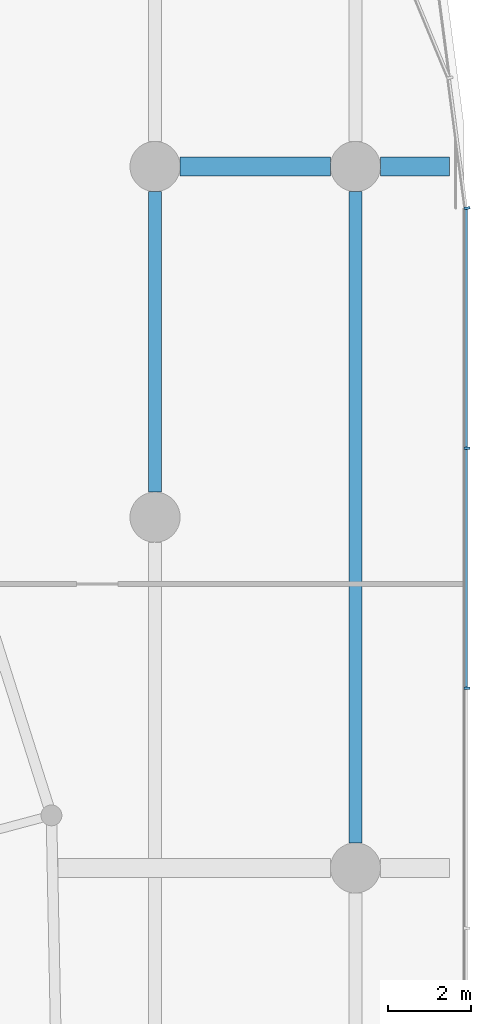
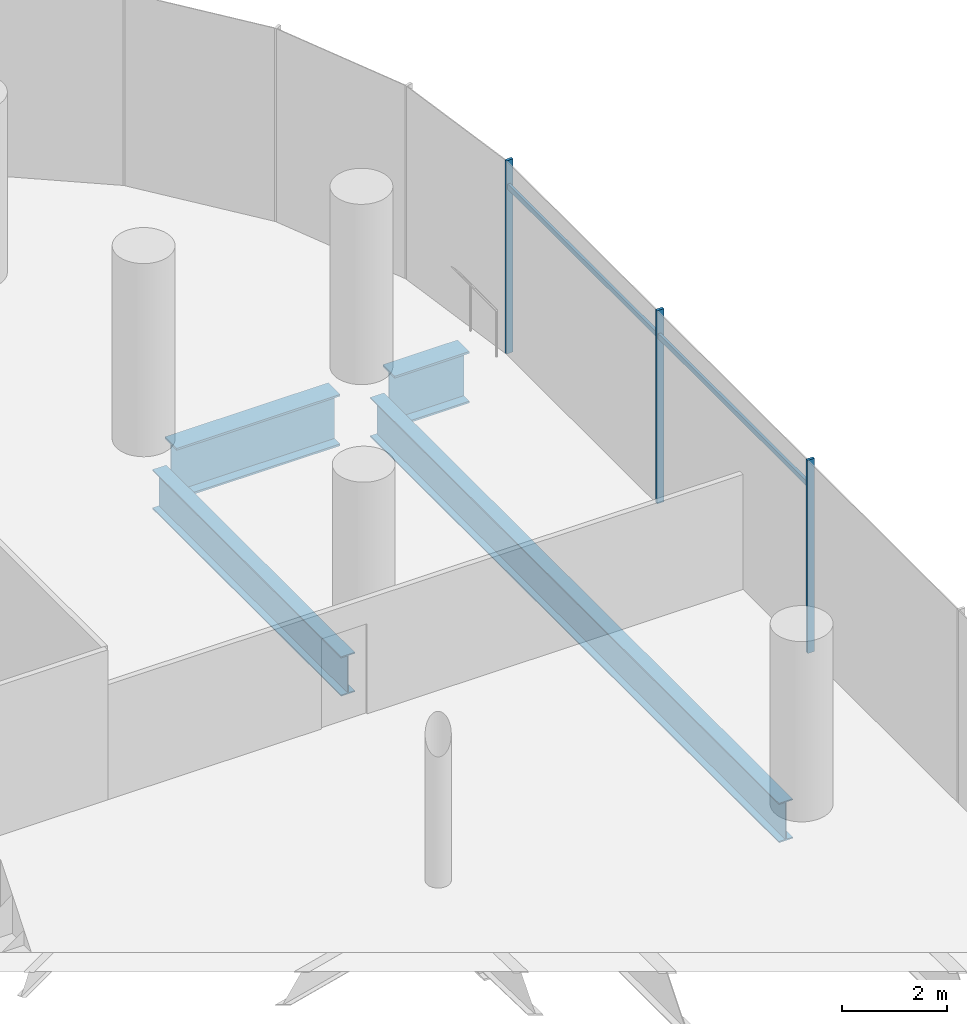
# One storey, part 18 of 43: 5 members, 4 beams, 1 element without a shape of its own.
"""IFC4 building model written with IfcOpenShell, lengths in metres."""

from ifc_helpers import new_model, si_unit, direction, frame, origin, origin_2d, place, context, subcontext, project, spatial, rectangle, i_section, extrude, material, material_profile, profile_set, type_object, element, aggregate, save


model = new_model("IFC4")

# Units and contexts
model_context = context("Model", 3, precision=1e-05, world=origin(), true_north=direction((0.0, 1.0)))
body_context = subcontext(model_context, "Body", "Model", "MODEL_VIEW")
ifc_project = project(units=[si_unit("LENGTHUNIT", "METRE"), si_unit("AREAUNIT", "SQUARE_METRE"), si_unit("VOLUMEUNIT", "CUBIC_METRE"), si_unit("PLANEANGLEUNIT", "RADIAN"), si_unit("MASSUNIT", "GRAM", prefix="KILO")], contexts=[model_context])

# Site, building, storey
site_placement = place(None, origin())
site = spatial("IfcSite", under=ifc_project, at=site_placement, CompositionType="ELEMENT")
building_placement = place(site_placement, origin())
building = spatial("IfcBuilding", under=site, at=building_placement, Name="Rimbun Link Towers", CompositionType="ELEMENT")
storey_placement = place(building_placement, frame((0.0, 0.0, 12.0)))
storey = spatial("IfcBuildingStorey", under=building, at=storey_placement, Name="L02", CompositionType="ELEMENT", Elevation=12.0)

# Curtain wall, members
ifc_material_1 = material(Name="Aluminium 6063-T6 and low-iron glass", Category="aluminium")
curtain_wall_type = type_object("IfcCurtainWallType", Name="CW3 podium shopfront", PredefinedType="NOTDEFINED", material=ifc_material_1)
curtain_wall_placement = place(storey_placement, origin())
curtain_wall = element("IfcCurtainWall", 1, at=curtain_wall_placement, inside=storey, type_object=curtain_wall_type, Name="CW3 L02 PD", PredefinedType="NOTDEFINED")
ifc_material_2 = material(Name="Aluminium 6063-T6", Category="aluminium")
ifc_material_profile_1 = material_profile(ifc_material_2, rectangle(XDim=0.14990234375, YDim=0.06005859375, at=origin_2d()), Name="MULLION 60X150")
ifc_profile_set_1 = profile_set([ifc_material_profile_1], Name="Aluminium 6063-T6")
member_type_1 = type_object("IfcMemberType", Name="CW3 mullion 60X150", PredefinedType="MULLION", material=ifc_profile_set_1)
member_1_placement = place(storey_placement, frame((62.074951171875, 8.5, 0.0), z_axis=(0.0, 0.0, 1.0), x_axis=(1.0, 0.0, 0.0)))
member_1 = element("IfcMember", 2, at=member_1_placement, type_object=member_type_1, Name="CW3 mullion", PredefinedType="MULLION", context=body_context, shape_type="SweptSolid", body=[
    extrude(rectangle(XDim=0.14990234375, YDim=0.06005859375, at=origin_2d()), origin(), (0.0, 0.0, 1.0), 4.5),
])
member_2_placement = place(storey_placement, frame((62.074951171875, 14.25, 0.0), z_axis=(0.0, 0.0, 1.0), x_axis=(1.0, 0.0, 0.0)))
member_2 = element("IfcMember", 3, at=member_2_placement, type_object=member_type_1, Name="CW3 mullion", PredefinedType="MULLION", context=body_context, shape_type="SweptSolid", body=[
    extrude(rectangle(XDim=0.14990234375, YDim=0.06005859375, at=origin_2d()), origin(), (0.0, 0.0, 1.0), 4.5),
])
member_3_placement = place(storey_placement, frame((62.074951171875, 20.0048828125, 0.0), z_axis=(0.0, 0.0, 1.0), x_axis=(0.997858781723, 0.065405288299, 0.0)))
member_3 = element("IfcMember", 4, at=member_3_placement, type_object=member_type_1, Name="CW3 mullion", PredefinedType="MULLION", context=body_context, shape_type="SweptSolid", body=[
    extrude(rectangle(XDim=0.14990234375, YDim=0.06005859375, at=origin_2d()), origin(), (0.0, 0.0, 1.0), 4.5),
])
ifc_material_3 = material(Name="Aluminium 6063-T6", Category="aluminium")
ifc_material_profile_2 = material_profile(ifc_material_3, rectangle(XDim=0.06005859375, YDim=0.1201171875, at=origin_2d()), Name="TRANSOM 60X120")
ifc_profile_set_2 = profile_set([ifc_material_profile_2], Name="Aluminium 6063-T6")
member_type_2 = type_object("IfcMemberType", Name="CW3 transom 60X120", PredefinedType="USERDEFINED", material=ifc_profile_set_2)
member_4_placement = place(storey_placement, frame((62.053955078125, 14.219970703125, 3.89990234375), z_axis=(0.0, -1.0, 0.0), x_axis=(1.0, 0.0, 0.0)))
member_4 = element("IfcMember", 5, at=member_4_placement, type_object=member_type_2, Name="CW3 transom", ObjectType="TRANSOM", PredefinedType="USERDEFINED", context=body_context, shape_type="SweptSolid", body=[
    extrude(rectangle(XDim=0.06005859375, YDim=0.1201171875, at=origin_2d()), origin(), (0.0, 0.0, 1.0), 5.68994140625),
])
member_5_placement = place(storey_placement, frame((62.053955078125, 19.969970703125, 3.89990234375), z_axis=(0.0, -1.0, 0.0), x_axis=(1.0, 0.0, 0.0)))
member_5 = element("IfcMember", 6, at=member_5_placement, type_object=member_type_2, Name="CW3 transom", ObjectType="TRANSOM", PredefinedType="USERDEFINED", context=body_context, shape_type="SweptSolid", body=[
    extrude(rectangle(XDim=0.06005859375, YDim=0.1201171875, at=origin_2d()), origin(), (0.0, 0.0, 1.0), 5.68994140625),
])
aggregate(curtain_wall, [member_1, member_2, member_3, member_4, member_5])

# Beams
ifc_material_4 = material(Name="Steel S355J2", Category="steel")
ifc_material_profile_3 = material_profile(ifc_material_4, i_section(OverallWidth=0.449951171875, OverallDepth=1.199951171875, WebThickness=0.030029296875, FlangeThickness=0.044921875, at=origin_2d()), Name="PG 1200x450x30/45")
ifc_profile_set_3 = profile_set([ifc_material_profile_3], Name="Steel S355J2")
beam_type_1 = type_object("IfcBeamType", Name="PG 1200x450x30/45", PredefinedType="BEAM", material=ifc_profile_set_3)
beam_1_placement = place(storey_placement, frame((55.199951171875, 21.0, -0.89990234375), z_axis=(1.0, 0.0, 0.0), x_axis=(0.0, 1.0, 0.0)))
element("IfcBeam", 7, at=beam_1_placement, inside=storey, type_object=beam_type_1, Name="Grid beam L02 +21.0", PredefinedType="BEAM", context=body_context, shape_type="SweptSolid", body=[
    extrude(i_section(OverallWidth=0.449951171875, OverallDepth=1.199951171875, WebThickness=0.030029296875, FlangeThickness=0.044921875, at=origin_2d()), origin(), (0.0, 0.0, 1.0), 3.60009765625),
])
beam_2_placement = place(storey_placement, frame((60.0, 21.0, -0.89990234375), z_axis=(1.0, 0.0, 0.0), x_axis=(0.0, 1.0, 0.0)))
element("IfcBeam", 8, at=beam_2_placement, inside=storey, type_object=beam_type_1, Name="Grid beam L02 +21.0", PredefinedType="BEAM", context=body_context, shape_type="SweptSolid", body=[
    extrude(i_section(OverallWidth=0.449951171875, OverallDepth=1.199951171875, WebThickness=0.030029296875, FlangeThickness=0.044921875, at=origin_2d()), origin(), (0.0, 0.0, 1.0), 1.649169921875),
])
ifc_material_5 = material(Name="Steel S355J2", Category="steel")
ifc_material_profile_4 = material_profile(ifc_material_5, i_section(OverallWidth=0.305419921875, OverallDepth=0.91845703125, WebThickness=0.017333984375, FlangeThickness=0.02783203125, at=origin_2d()), Name="UB 914x305x253")
ifc_profile_set_4 = profile_set([ifc_material_profile_4], Name="Steel S355J2")
beam_type_2 = type_object("IfcBeamType", Name="UB 914x305x253", PredefinedType="BEAM", material=ifc_profile_set_4)
beam_3_placement = place(storey_placement, frame((54.60009765625, 13.199951171875, -0.75927734375), z_axis=(0.0, 1.0, 0.0), x_axis=(-1.0, 0.0, 0.0)))
element("IfcBeam", 9, at=beam_3_placement, inside=storey, type_object=beam_type_2, Name="Grid beam L02 +54.6", PredefinedType="BEAM", context=body_context, shape_type="SweptSolid", body=[
    extrude(i_section(OverallWidth=0.305419921875, OverallDepth=0.91845703125, WebThickness=0.017333984375, FlangeThickness=0.02783203125, at=origin_2d()), origin(), (0.0, 0.0, 1.0), 7.199951171875),
])
beam_4_placement = place(storey_placement, frame((59.39990234375, 4.800048828125, -0.75927734375), z_axis=(0.0, 1.0, 0.0), x_axis=(-1.0, 0.0, 0.0)))
element("IfcBeam", 10, at=beam_4_placement, inside=storey, type_object=beam_type_2, Name="Grid beam L02 +59.4", PredefinedType="BEAM", context=body_context, shape_type="SweptSolid", body=[
    extrude(i_section(OverallWidth=0.305419921875, OverallDepth=0.91845703125, WebThickness=0.017333984375, FlangeThickness=0.02783203125, at=origin_2d()), origin(), (0.0, 0.0, 1.0), 15.599853515625),
])

save(model, "model.ifc")
